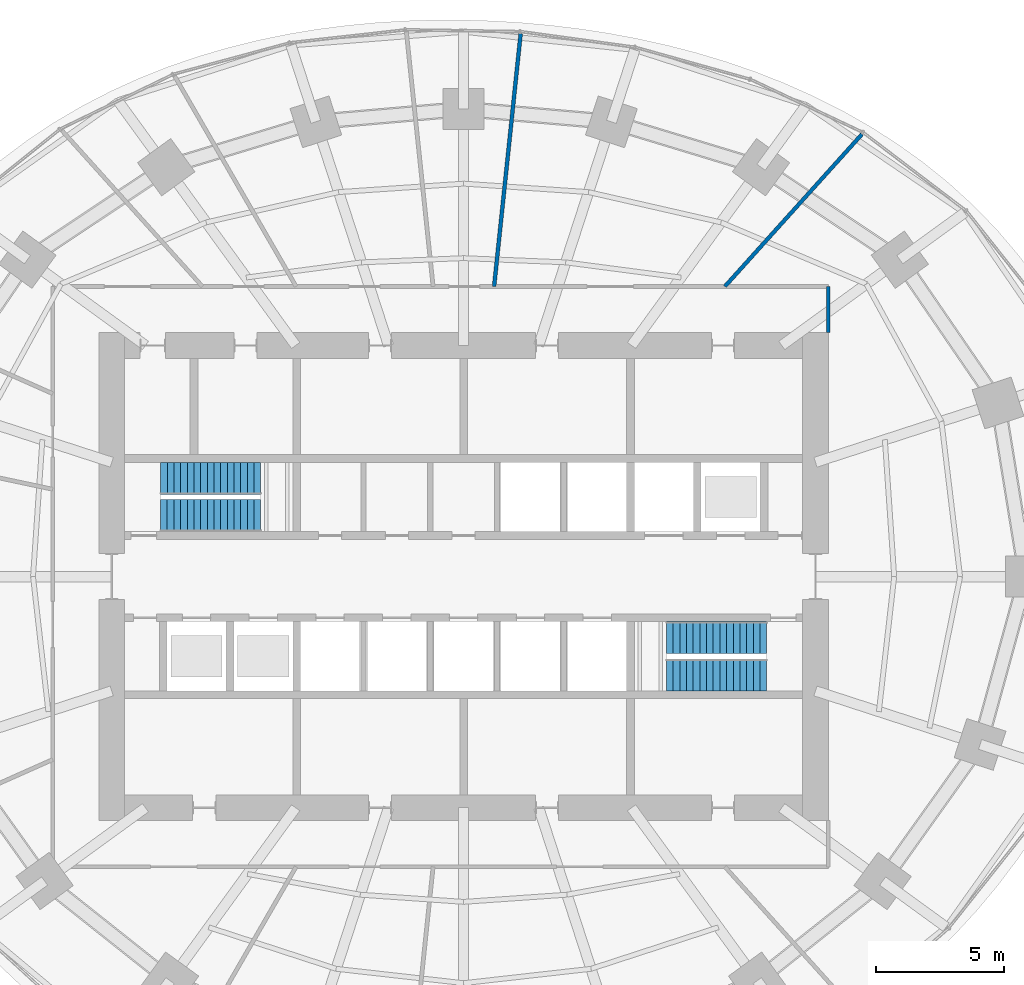
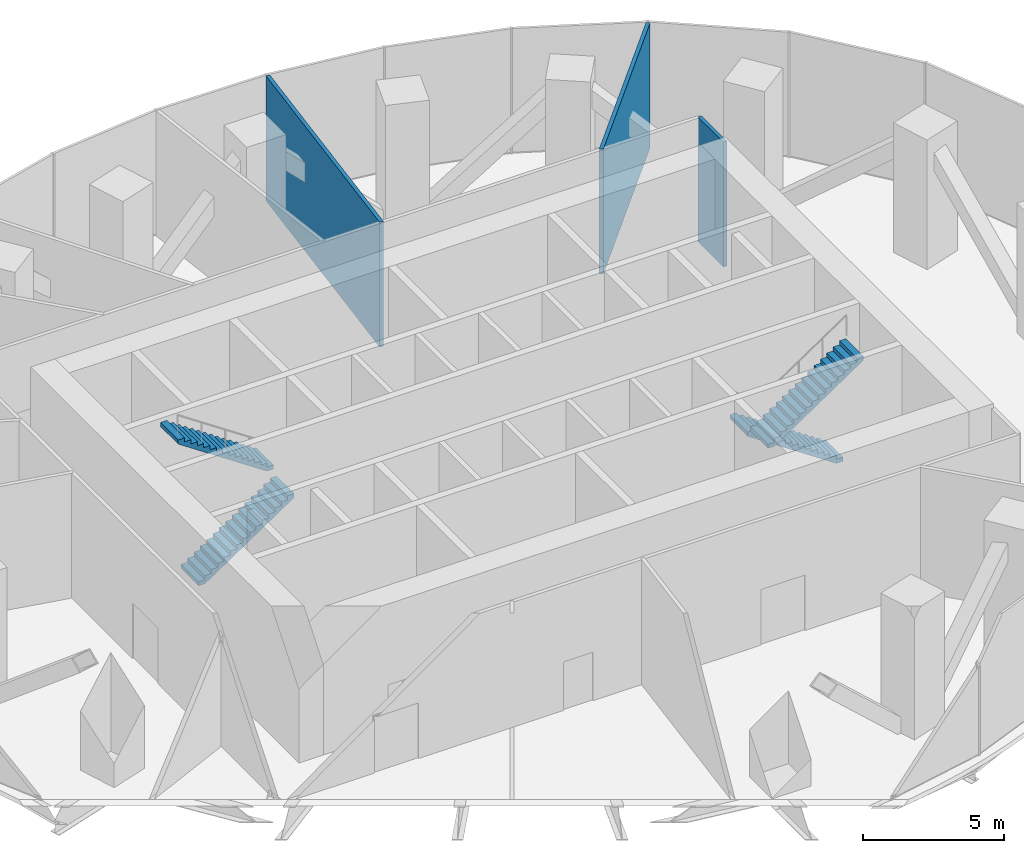
# One storey, part 12 of 14: 4 stair flights, 3 walls, 2 elements without a shape of their own.
"""IFC4 building model written with IfcOpenShell, lengths in metres."""

from ifc_helpers import new_model, si_unit, direction, frame, frame_2d, origin, place, context, subcontext, project, spatial, polyline, rectangle, outline, extrude, material, layer, layer_set, type_object, element, aggregate, save


model = new_model("IFC4")

# Units and contexts
model_context = context("Model", 3, precision=1e-05, world=origin(), true_north=direction((0.0, 1.0)))
body_context = subcontext(model_context, "Body", "Model", "MODEL_VIEW")
ifc_project = project(units=[si_unit("LENGTHUNIT", "METRE"), si_unit("AREAUNIT", "SQUARE_METRE"), si_unit("VOLUMEUNIT", "CUBIC_METRE"), si_unit("PLANEANGLEUNIT", "RADIAN"), si_unit("MASSUNIT", "GRAM", prefix="KILO")], contexts=[model_context])

# Site, building, storey
site_placement = place(None, origin())
site = spatial("IfcSite", under=ifc_project, at=site_placement, CompositionType="ELEMENT")
building_placement = place(site_placement, origin())
building = spatial("IfcBuilding", under=site, at=building_placement, Name="Marramba Exchange Tower", CompositionType="ELEMENT")
storey_placement = place(building_placement, frame((0.0, 0.0, 166.5)))
storey = spatial("IfcBuildingStorey", under=building, at=storey_placement, Name="L40", CompositionType="ELEMENT", Elevation=166.5)

# Walls
ifc_material_1 = material(Name="Fire-rated plasterboard on steel studs, acoustic insulation", Category="steel")
ifc_layer = layer(ifc_material_1, 0.14990234375)
ifc_layer_set = layer_set([ifc_layer], Name="Tenancy wall 150")
wall_type = type_object("IfcWallType", Name="Tenancy wall 150", PredefinedType="PARTITIONING", material=ifc_layer_set)
wall_1_placement = place(storey_placement, frame((14.199951171875, 9.5, 0.0), z_axis=(0.0, 0.0, 1.0), x_axis=(0.0, 1.0, 0.0)))
element("IfcWall", 1, at=wall_1_placement, inside=storey, type_object=wall_type, Name="Tenancy wall L40 07", PredefinedType="PARTITIONING", context=body_context, shape_type="SweptSolid", body=[
    extrude(rectangle(XDim=1.800048828125, YDim=0.14990234375, at=frame_2d((0.89990234375, 0.0))), origin(), (0.0, 0.0, 1.0), 5.39990234375),
])
wall_2_placement = place(storey_placement, frame((10.174560546875, 11.300048828125, 0.0), z_axis=(0.0, 0.0, 1.0), x_axis=(0.669137181064, 0.743138905534, 0.0)))
element("IfcWall", 2, at=wall_2_placement, inside=storey, type_object=wall_type, Name="Tenancy wall L40 08", PredefinedType="PARTITIONING", context=body_context, shape_type="SweptSolid", body=[
    extrude(rectangle(XDim=7.977294921875, YDim=0.14990234375, at=frame_2d((3.98876953125, 0.0))), origin(), (0.0, 0.0, 1.0), 5.39990234375),
])
wall_3_placement = place(storey_placement, frame((1.187744140625, 11.300048828125, 0.0), z_axis=(0.0, 0.0, 1.0), x_axis=(0.104531956906, 0.994521528166, 0.0)))
element("IfcWall", 3, at=wall_3_placement, inside=storey, type_object=wall_type, Name="Tenancy wall L40 09", PredefinedType="PARTITIONING", context=body_context, shape_type="SweptSolid", body=[
    extrude(rectangle(XDim=9.895751953125, YDim=0.14990234375, at=frame_2d((4.94775390625, 0.0))), origin(), (0.0, 0.0, 1.0), 5.39990234375),
])

# Stair, stair flights
ifc_material_2 = material(Name="Concrete N40 (40 MPa)", Category="concrete")
stair_type_1 = type_object("IfcStairType", Name="Exit stair ST1 5600 x 1250", PredefinedType="HALF_TURN_STAIR", material=ifc_material_2)
stair_1_placement = place(storey_placement, origin())
stair_1 = element("IfcStair", 4, at=stair_1_placement, inside=storey, type_object=stair_type_1, Name="Exit stair ST1 L40", PredefinedType="HALF_TURN_STAIR")
stair_flight_type_1 = type_object("IfcStairFlightType", Name="ST1 stair flight 1750 riser 1250 wide", PredefinedType="STRAIGHT", material=ifc_material_2)
stair_flight_1_placement = place(storey_placement, frame((-11.800048828125, 2.375, 0.0), z_axis=(0.0, 0.0, 1.0), x_axis=(1.0, 0.0, 0.0)))
stair_flight_1 = element("IfcStairFlight", 5, at=stair_flight_1_placement, type_object=stair_flight_type_1, Name="ST1 flight 1", NumberOfRisers=16, NumberOfTreads=15, PredefinedType="STRAIGHT", RiserHeight=0.175, TreadLength=0.26, context=body_context, shape_type="SweptSolid", body=[
    extrude(outline(polyline([(0.0, 0.0), (0.0, 0.175048828125), (0.260009765625, 0.175048828125), (0.260009765625, 0.35009765625), (0.52001953125, 0.35009765625), (0.52001953125, 0.52490234375), (0.780029296875, 0.52490234375), (0.780029296875, 0.699951171875), (1.0400390625, 0.699951171875), (1.0400390625, 0.875), (1.300048828125, 0.875), (1.300048828125, 1.050048828125), (1.56005859375, 1.050048828125), (1.56005859375, 1.22509765625), (1.820068359375, 1.22509765625), (1.820068359375, 1.39990234375), (2.080078125, 1.39990234375), (2.080078125, 1.574951171875), (2.340087890625, 1.574951171875), (2.340087890625, 1.75), (2.60009765625, 1.75), (2.60009765625, 1.925048828125), (2.860107421875, 1.925048828125), (2.860107421875, 2.10009765625), (3.1201171875, 2.10009765625), (3.1201171875, 2.27490234375), (3.3798828125, 2.27490234375), (3.3798828125, 2.449951171875), (3.639892578125, 2.449951171875), (3.639892578125, 2.625), (3.89990234375, 2.625), (3.89990234375, 2.800048828125), (3.89990234375, 2.4443359375), (0.2685546875, 0.0), (0.0, 0.0)])), frame((0.0, 0.625, 0.0), z_axis=(0.0, -1.0, 0.0), x_axis=(1.0, 0.0, 0.0)), (0.0, 0.0, 1.0), 1.25),
])
stair_flight_2_placement = place(storey_placement, frame((-7.89990234375, 3.824951171875, 2.800048828125), z_axis=(0.0, 0.0, 1.0), x_axis=(-1.0, 0.0, 0.0)))
stair_flight_2 = element("IfcStairFlight", 6, at=stair_flight_2_placement, type_object=stair_flight_type_1, Name="ST1 flight 2", NumberOfRisers=16, NumberOfTreads=15, PredefinedType="STRAIGHT", RiserHeight=0.175, TreadLength=0.26, context=body_context, shape_type="SweptSolid", body=[
    extrude(outline(polyline([(0.0, 0.0), (0.0, 0.175048828125), (0.260009765625, 0.175048828125), (0.260009765625, 0.35009765625), (0.52001953125, 0.35009765625), (0.52001953125, 0.52490234375), (0.780029296875, 0.52490234375), (0.780029296875, 0.699951171875), (1.0400390625, 0.699951171875), (1.0400390625, 0.875), (1.300048828125, 0.875), (1.300048828125, 1.050048828125), (1.56005859375, 1.050048828125), (1.56005859375, 1.22509765625), (1.820068359375, 1.22509765625), (1.820068359375, 1.39990234375), (2.080078125, 1.39990234375), (2.080078125, 1.574951171875), (2.340087890625, 1.574951171875), (2.340087890625, 1.75), (2.60009765625, 1.75), (2.60009765625, 1.925048828125), (2.860107421875, 1.925048828125), (2.860107421875, 2.10009765625), (3.1201171875, 2.10009765625), (3.1201171875, 2.27490234375), (3.3798828125, 2.27490234375), (3.3798828125, 2.449951171875), (3.639892578125, 2.449951171875), (3.639892578125, 2.625), (3.89990234375, 2.625), (3.89990234375, 2.800048828125), (3.89990234375, 2.4443359375), (0.2685546875, 0.0), (0.0, 0.0)])), frame((0.0, 0.625, 0.0), z_axis=(0.0, -1.0, 0.0), x_axis=(1.0, 0.0, 0.0)), (0.0, 0.0, 1.0), 1.25),
])
aggregate(stair_1, [stair_flight_1, stair_flight_2])

stair_type_2 = type_object("IfcStairType", Name="Exit stair ST2 5600 x 1250", PredefinedType="HALF_TURN_STAIR", material=ifc_material_2)
stair_2_placement = place(storey_placement, origin())
stair_2 = element("IfcStair", 7, at=stair_2_placement, inside=storey, type_object=stair_type_2, Name="Exit stair ST2 L40", PredefinedType="HALF_TURN_STAIR")
stair_flight_type_2 = type_object("IfcStairFlightType", Name="ST2 stair flight 1750 riser 1250 wide", PredefinedType="STRAIGHT", material=ifc_material_2)
stair_flight_3_placement = place(storey_placement, frame((11.800048828125, -2.375, 0.0), z_axis=(0.0, 0.0, 1.0), x_axis=(-1.0, 0.0, 0.0)))
stair_flight_3 = element("IfcStairFlight", 8, at=stair_flight_3_placement, type_object=stair_flight_type_2, Name="ST2 flight 1", NumberOfRisers=16, NumberOfTreads=15, PredefinedType="STRAIGHT", RiserHeight=0.175, TreadLength=0.26, context=body_context, shape_type="SweptSolid", body=[
    extrude(outline(polyline([(0.0, 0.0), (0.0, 0.175048828125), (0.260009765625, 0.175048828125), (0.260009765625, 0.35009765625), (0.52001953125, 0.35009765625), (0.52001953125, 0.52490234375), (0.780029296875, 0.52490234375), (0.780029296875, 0.699951171875), (1.0400390625, 0.699951171875), (1.0400390625, 0.875), (1.300048828125, 0.875), (1.300048828125, 1.050048828125), (1.56005859375, 1.050048828125), (1.56005859375, 1.22509765625), (1.820068359375, 1.22509765625), (1.820068359375, 1.39990234375), (2.080078125, 1.39990234375), (2.080078125, 1.574951171875), (2.340087890625, 1.574951171875), (2.340087890625, 1.75), (2.60009765625, 1.75), (2.60009765625, 1.925048828125), (2.860107421875, 1.925048828125), (2.860107421875, 2.10009765625), (3.1201171875, 2.10009765625), (3.1201171875, 2.27490234375), (3.3798828125, 2.27490234375), (3.3798828125, 2.449951171875), (3.639892578125, 2.449951171875), (3.639892578125, 2.625), (3.89990234375, 2.625), (3.89990234375, 2.800048828125), (3.89990234375, 2.4443359375), (0.2685546875, 0.0), (0.0, 0.0)])), frame((0.0, 0.625, 0.0), z_axis=(0.0, -1.0, 0.0), x_axis=(1.0, 0.0, 0.0)), (0.0, 0.0, 1.0), 1.25),
])
stair_flight_4_placement = place(storey_placement, frame((7.89990234375, -3.824951171875, 2.800048828125), z_axis=(0.0, 0.0, 1.0), x_axis=(1.0, 0.0, 0.0)))
stair_flight_4 = element("IfcStairFlight", 9, at=stair_flight_4_placement, type_object=stair_flight_type_2, Name="ST2 flight 2", NumberOfRisers=16, NumberOfTreads=15, PredefinedType="STRAIGHT", RiserHeight=0.175, TreadLength=0.26, context=body_context, shape_type="SweptSolid", body=[
    extrude(outline(polyline([(0.0, 0.0), (0.0, 0.175048828125), (0.260009765625, 0.175048828125), (0.260009765625, 0.35009765625), (0.52001953125, 0.35009765625), (0.52001953125, 0.52490234375), (0.780029296875, 0.52490234375), (0.780029296875, 0.699951171875), (1.0400390625, 0.699951171875), (1.0400390625, 0.875), (1.300048828125, 0.875), (1.300048828125, 1.050048828125), (1.56005859375, 1.050048828125), (1.56005859375, 1.22509765625), (1.820068359375, 1.22509765625), (1.820068359375, 1.39990234375), (2.080078125, 1.39990234375), (2.080078125, 1.574951171875), (2.340087890625, 1.574951171875), (2.340087890625, 1.75), (2.60009765625, 1.75), (2.60009765625, 1.925048828125), (2.860107421875, 1.925048828125), (2.860107421875, 2.10009765625), (3.1201171875, 2.10009765625), (3.1201171875, 2.27490234375), (3.3798828125, 2.27490234375), (3.3798828125, 2.449951171875), (3.639892578125, 2.449951171875), (3.639892578125, 2.625), (3.89990234375, 2.625), (3.89990234375, 2.800048828125), (3.89990234375, 2.4443359375), (0.2685546875, 0.0), (0.0, 0.0)])), frame((0.0, 0.625, 0.0), z_axis=(0.0, -1.0, 0.0), x_axis=(1.0, 0.0, 0.0)), (0.0, 0.0, 1.0), 1.25),
])
aggregate(stair_2, [stair_flight_3, stair_flight_4])

save(model, "model.ifc")
